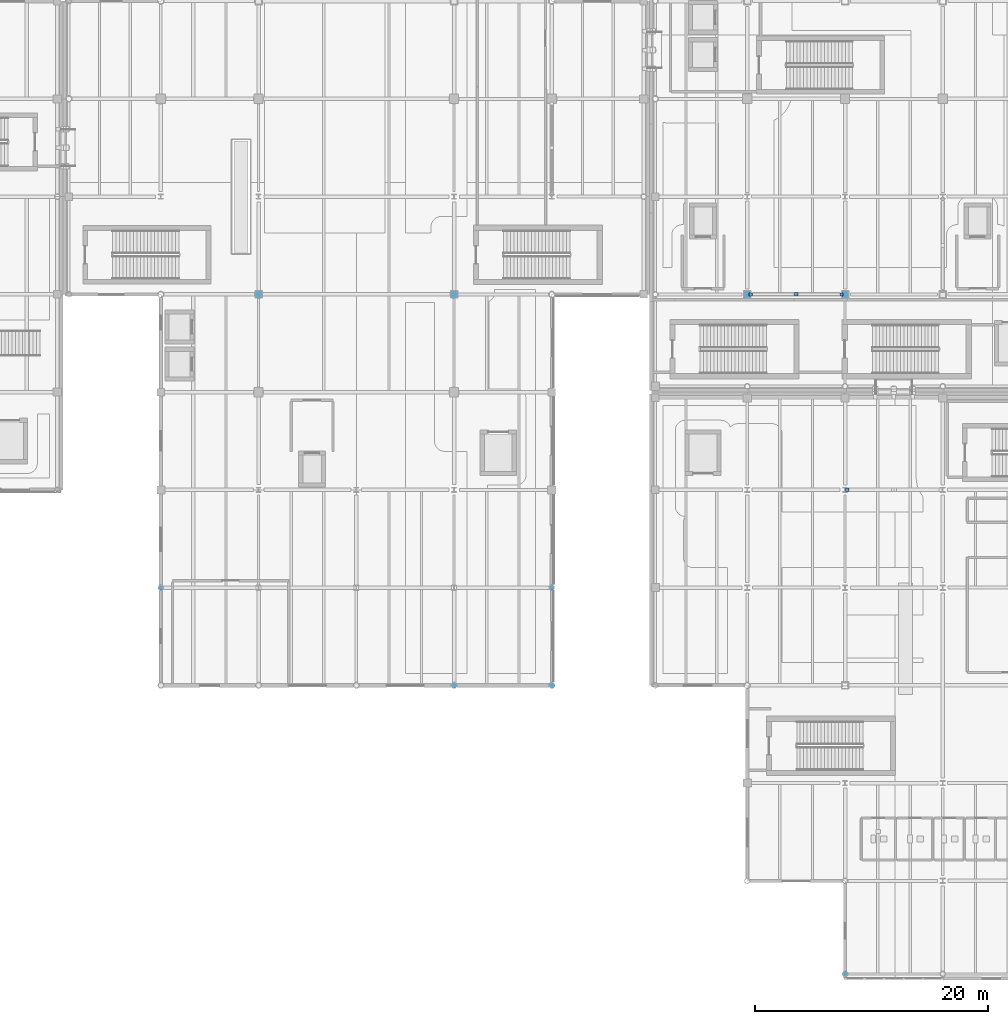
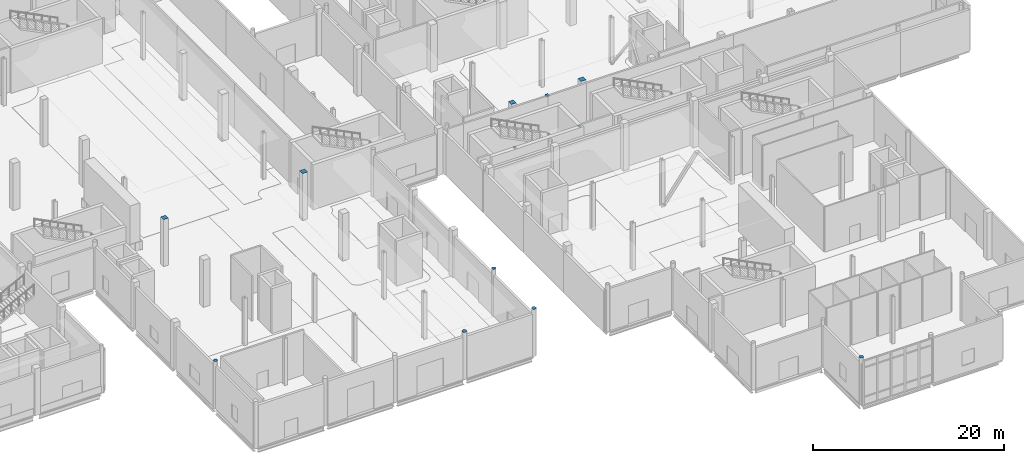
# One storey, part 57 of 85: 13 discrete accessories.
"""IFC4 building model written with IfcOpenShell, lengths in metres."""

from ifc_helpers import new_model, si_unit, direction, frame, origin, origin_2d, place, context, subcontext, project, spatial, rectangle, circle, extrude, material, type_object, element, save


model = new_model("IFC4")

# Units and contexts
model_context = context("Model", 3, precision=1e-05, world=origin(), true_north=direction((0.0, 1.0)))
body_context = subcontext(model_context, "Body", "Model", "MODEL_VIEW")
ifc_project = project(units=[si_unit("LENGTHUNIT", "METRE"), si_unit("AREAUNIT", "SQUARE_METRE"), si_unit("VOLUMEUNIT", "CUBIC_METRE"), si_unit("PLANEANGLEUNIT", "RADIAN"), si_unit("MASSUNIT", "GRAM", prefix="KILO"), si_unit("THERMODYNAMICTEMPERATUREUNIT", "KELVIN")], contexts=[model_context])

# Site, building, storey
site_placement = place(None, origin())
site = spatial("IfcSite", under=ifc_project, at=site_placement, CompositionType="ELEMENT")
building_placement = place(site_placement, origin())
building = spatial("IfcBuilding", under=site, at=building_placement, Name="Lustrewick Department Store", CompositionType="ELEMENT")
storey_placement = place(building_placement, origin())
storey = spatial("IfcBuildingStorey", under=building, at=storey_placement, Name="L01", CompositionType="ELEMENT", Elevation=0.0)

# Discrete accessories
ifc_material = material(Name="Structural steel Q355C", Category="steel")
discrete_accessory_type_1 = type_object("IfcDiscreteAccessoryType", Name="GUS-NODE", PredefinedType="BRACKET", material=ifc_material)
for number, where, z_axis, x_axis, name in (
    (1, (126.199951171875, 42.0, 0.06005859375), (0.0, 0.0, 1.0), (1.0, 0.0, 0.0), "L01 V3 Brace Base Gusset Plate"),
    (2, (117.89990234375, 58.800048828125, 0.06005859375), (0.0, 0.0, 1.0), (1.0, 0.0, 0.0), "L01 V4 Brace Base Gusset Plate"),
    (3, (125.699951171875, 58.800048828125, 0.06005859375), (0.0, 0.0, 1.0), (1.0, 0.0, 0.0), "L01 V4 Brace Base Gusset Plate"),
):
    element("IfcDiscreteAccessory", number, at=place(storey_placement, frame(where, z_axis=z_axis, x_axis=x_axis)), inside=storey, type_object=discrete_accessory_type_1, Name=name, PredefinedType="BRACKET", context=body_context, shape_type="SweptSolid", body=[
        extrude(rectangle(XDim=0.280029296875, YDim=0.280029296875, at=origin_2d()), origin(), (0.0, 0.0, 1.0), 0.179931640625),
    ])
discrete_accessory_1_placement = place(storey_placement, frame((121.800048828125, 58.800048828125, 5.28515625), z_axis=(0.0, 0.0, 1.0), x_axis=(1.0, 0.0, 0.0)))
element("IfcDiscreteAccessory", 4, at=discrete_accessory_1_placement, inside=storey, type_object=discrete_accessory_type_1, Name="L01 V4 Chevron Brace Apex Gusset Plate", PredefinedType="BRACKET", context=body_context, shape_type="SweptSolid", body=[
    extrude(rectangle(XDim=0.320068359375, YDim=0.320068359375, at=origin_2d()), origin(), (0.0, 0.0, 1.0), 0.219970703125),
])
discrete_accessory_type_2 = type_object("IfcDiscreteAccessoryType", Name="ECP-01", PredefinedType="USERDEFINED", material=ifc_material)
discrete_accessory_2_placement = place(storey_placement, frame((126.0, 58.800048828125, 5.993896484375), z_axis=(0.0, 0.0, 1.0), x_axis=(1.0, 0.0, 0.0)))
element("IfcDiscreteAccessory", 5, at=discrete_accessory_2_placement, inside=storey, type_object=discrete_accessory_type_2, Name="L01 Welded Hollow-Section End-Cap Plate ECP-01", ObjectType="END_CAP_PLATE", PredefinedType="USERDEFINED", context=body_context, shape_type="SweptSolid", body=[
    extrude(rectangle(XDim=0.60009765625, YDim=0.60009765625, at=origin_2d()), origin(), (0.0, 0.0, 1.0), 0.01611328125),
])
discrete_accessory_3_placement = place(storey_placement, frame((100.800048828125, 33.60009765625, 5.993896484375), z_axis=(0.0, 0.0, 1.0), x_axis=(1.0, 0.0, 0.0)))
element("IfcDiscreteAccessory", 6, at=discrete_accessory_3_placement, inside=storey, type_object=discrete_accessory_type_2, Name="L01 Welded Hollow-Section End-Cap Plate ECP-01", ObjectType="END_CAP_PLATE", PredefinedType="USERDEFINED", context=body_context, shape_type="SweptSolid", body=[
    extrude(circle(Radius=0.228515625, at=origin_2d()), origin(), (0.0, 0.0, 1.0), 0.01611328125),
])
for number, where, z_axis, x_axis, name in (
    (7, (100.800048828125, 25.199951171875, 5.993896484375), (0.0, 0.0, 1.0), (1.0, 0.0, 0.0), "L01 Welded Hollow-Section End-Cap Plate ECP-01"),
    (8, (92.39990234375, 25.199951171875, 5.993896484375), (0.0, 0.0, 1.0), (1.0, 0.0, 0.0), "L01 Welded Hollow-Section End-Cap Plate ECP-01"),
):
    element("IfcDiscreteAccessory", number, at=place(storey_placement, frame(where, z_axis=z_axis, x_axis=x_axis)), inside=storey, type_object=discrete_accessory_type_2, Name=name, ObjectType="END_CAP_PLATE", PredefinedType="USERDEFINED", context=body_context, shape_type="SweptSolid", body=[
        extrude(circle(Radius=0.25390625, at=origin_2d()), origin(), (0.0, 0.0, 1.0), 0.01611328125),
    ])
discrete_accessory_4_placement = place(storey_placement, frame((126.0, 0.39990234375, 5.993896484375), z_axis=(0.0, 0.0, 1.0), x_axis=(1.0, 0.0, 0.0)))
element("IfcDiscreteAccessory", 9, at=discrete_accessory_4_placement, inside=storey, type_object=discrete_accessory_type_2, Name="L01 Welded Hollow-Section End-Cap Plate ECP-01", ObjectType="END_CAP_PLATE", PredefinedType="USERDEFINED", context=body_context, shape_type="SweptSolid", body=[
    extrude(circle(Radius=0.228515625, at=origin_2d()), origin(), (0.0, 0.0, 1.0), 0.01611328125),
])
for number, where, z_axis, x_axis, name in (
    (10, (117.60009765625, 58.800048828125, 5.993896484375), (0.0, 0.0, 1.0), (1.0, 0.0, 0.0), "L01 Welded Hollow-Section End-Cap Plate ECP-01"),
    (11, (75.60009765625, 58.800048828125, 5.993896484375), (0.0, 0.0, 1.0), (1.0, 0.0, 0.0), "L01 Welded Hollow-Section End-Cap Plate ECP-01"),
    (12, (92.39990234375, 58.800048828125, 5.993896484375), (0.0, 0.0, 1.0), (1.0, 0.0, 0.0), "L01 Welded Hollow-Section End-Cap Plate ECP-01"),
):
    element("IfcDiscreteAccessory", number, at=place(storey_placement, frame(where, z_axis=z_axis, x_axis=x_axis)), inside=storey, type_object=discrete_accessory_type_2, Name=name, ObjectType="END_CAP_PLATE", PredefinedType="USERDEFINED", context=body_context, shape_type="SweptSolid", body=[
        extrude(rectangle(XDim=0.60009765625, YDim=0.60009765625, at=origin_2d()), origin(), (0.0, 0.0, 1.0), 0.01611328125),
    ])
discrete_accessory_5_placement = place(storey_placement, frame((67.199951171875, 33.60009765625, 5.993896484375), z_axis=(0.0, 0.0, 1.0), x_axis=(1.0, 0.0, 0.0)))
element("IfcDiscreteAccessory", 13, at=discrete_accessory_5_placement, inside=storey, type_object=discrete_accessory_type_2, Name="L01 Welded Hollow-Section End-Cap Plate ECP-01", ObjectType="END_CAP_PLATE", PredefinedType="USERDEFINED", context=body_context, shape_type="SweptSolid", body=[
    extrude(circle(Radius=0.228515625, at=origin_2d()), origin(), (0.0, 0.0, 1.0), 0.01611328125),
])

save(model, "model.ifc")
